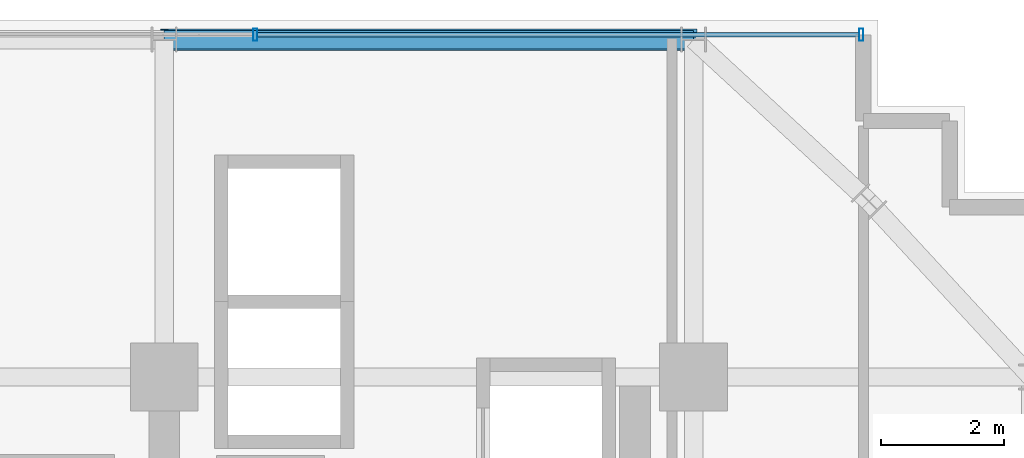
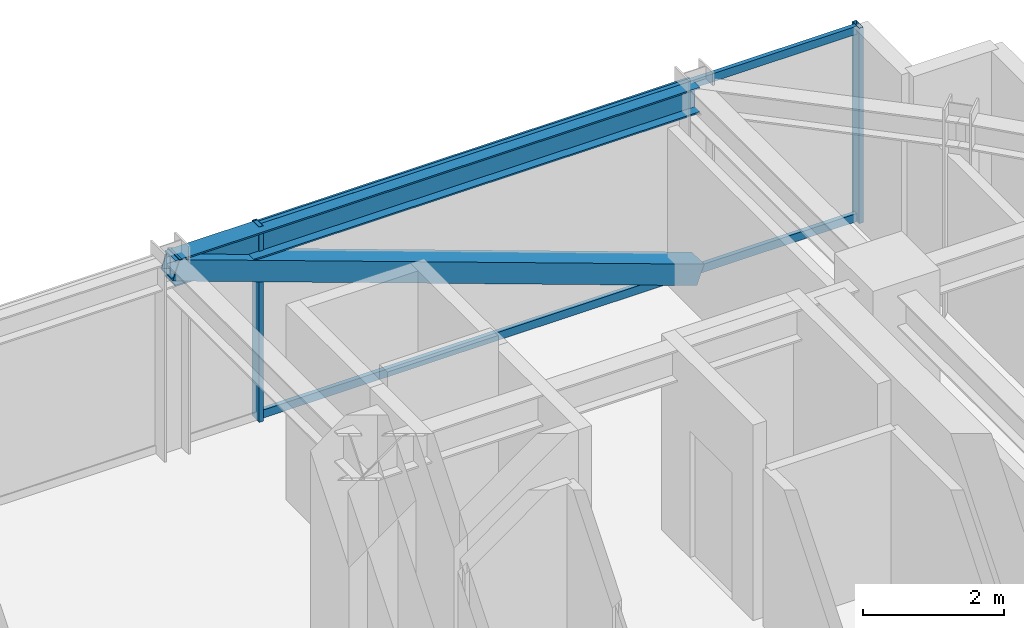
# One storey, part 27 of 36: 5 members, 1 beam, 1 element without a shape of its own.
"""IFC4 building model written with IfcOpenShell, lengths in metres."""

from ifc_helpers import new_model, si_unit, direction, frame, origin, origin_2d, place, context, subcontext, project, spatial, hollow_rectangle, i_section, extrude, source, transform, mapped, material, material_profile, profile_set, type_object, element, aggregate, save


model = new_model("IFC4")

# Units and contexts
model_context = context("Model", 3, precision=1e-05, world=origin(), true_north=direction((0.0, 1.0)))
body_context = subcontext(model_context, "Body", "Model", "MODEL_VIEW")
ifc_project = project(units=[si_unit("LENGTHUNIT", "METRE"), si_unit("AREAUNIT", "SQUARE_METRE"), si_unit("VOLUMEUNIT", "CUBIC_METRE"), si_unit("PLANEANGLEUNIT", "RADIAN"), si_unit("MASSUNIT", "GRAM", prefix="KILO")], contexts=[model_context])

# Site, building, storey
site_placement = place(None, origin())
site = spatial("IfcSite", under=ifc_project, at=site_placement, CompositionType="ELEMENT")
building_placement = place(site_placement, origin())
building = spatial("IfcBuilding", under=site, at=building_placement, Name="Nahalor Promenade Grand Hotel", CompositionType="ELEMENT")
storey_placement = place(building_placement, frame((0.0, 0.0, 170.89990234375)))
storey = spatial("IfcBuildingStorey", under=building, at=storey_placement, Name="L43", CompositionType="ELEMENT", Elevation=170.89990234375)

# Beam
ifc_material_1 = material(Name="Steel S355JR", Category="steel")
ifc_material_profile_1 = material_profile(ifc_material_1, i_section(OverallWidth=0.3, OverallDepth=0.45, WebThickness=0.014, FlangeThickness=0.026, at=origin_2d()), Name="HEB 450")
ifc_profile_set_1 = profile_set([ifc_material_profile_1], Name="Steel S355JR")
beam_type = type_object("IfcBeamType", Name="Beam-Spandrel-HEB450", PredefinedType="SPANDREL", material=ifc_profile_set_1)
shared_shape_1 = source(origin(), body_context, "Body", "SweptSolid", [
    extrude(i_section(OverallWidth=0.3, OverallDepth=0.45, WebThickness=0.014, FlangeThickness=0.026, at=origin_2d()), origin(), (0.0, 0.0, 1.0), 8.60009765625),
])
beam_placement = place(storey_placement, frame((8.39990234375, 22.47998046875, 3.1650390625), z_axis=(1.0, 0.0, 0.0), x_axis=(0.0, 1.0, 0.0)))
element("IfcBeam", 1, at=beam_placement, inside=storey, type_object=beam_type, Name="BM-L43-SP-N-4", PredefinedType="SPANDREL", context=body_context, shape_type="MappedRepresentation", body=[
    mapped(shared_shape_1, transform((0.0, 0.0, 0.0), scale=1.0)),
])

# Member
ifc_material_profile_2 = material_profile(ifc_material_1, hollow_rectangle(XDim=0.35, YDim=0.35, WallThickness=0.02, at=origin_2d()), Name="SHS 350x350x20")
ifc_profile_set_2 = profile_set([ifc_material_profile_2], Name="Steel S355JR")
member_type_1 = type_object("IfcMemberType", Name="Mem-VoidBrace-SHS350", PredefinedType="BRACE", material=ifc_profile_set_2)
shared_shape_2 = source(origin(), body_context, "Body", "SweptSolid", [
    extrude(hollow_rectangle(XDim=0.35, YDim=0.35, WallThickness=0.02, at=origin_2d()), origin(), (0.0, 0.0, 1.0), 9.138427734375),
])
member_1_placement = place(storey_placement, frame((17.0, 22.47998046875, 0.150146484375), z_axis=(-0.941103144716, 0.0, 0.338119610501), x_axis=(0.0, -1.0, 0.0)))
element("IfcMember", 2, at=member_1_placement, inside=storey, type_object=member_type_1, Name="EXO-L43-N-1", PredefinedType="BRACE", context=body_context, shape_type="MappedRepresentation", body=[
    mapped(shared_shape_2, transform((0.0, 0.0, 0.0), scale=1.0)),
])

# Curtain wall, members
ifc_material_2 = material(Name="Anodised Bronze Aluminium EN AW-6063 T6", Category="aluminium")
curtain_wall_type = type_object("IfcCurtainWallType", Name="CW3 Elliptical-Void Collar Unitised Curtain Wall", PredefinedType="USERDEFINED", material=ifc_material_2)
curtain_wall_placement = place(storey_placement, origin())
curtain_wall = element("IfcCurtainWall", 3, at=curtain_wall_placement, inside=storey, type_object=curtain_wall_type, Name="L43 Curtain Wall CW-L43-N-1", ObjectType="UNITISED_CURTAIN_WALL", PredefinedType="USERDEFINED")
ifc_material_profile_3 = material_profile(ifc_material_2, hollow_rectangle(XDim=0.07, YDim=0.2, WallThickness=0.005, at=origin_2d()), Name="CWM 70x200x5")
ifc_profile_set_3 = profile_set([ifc_material_profile_3], Name="Anodised Bronze Aluminium EN AW-6063 T6")
member_type_2 = type_object("IfcMemberType", Name="CWM3 Void Collar Mullion 70x200", PredefinedType="MULLION", material=ifc_profile_set_3)
shared_shape_3 = source(origin(), body_context, "Body", "SweptSolid", [
    extrude(hollow_rectangle(XDim=0.07, YDim=0.2, WallThickness=0.005, at=origin_2d()), origin(), (0.0, 0.0, 1.0), 3.39013671875),
])
member_2_placement = place(storey_placement, frame((9.8798828125, 22.56005859375, 0.0), z_axis=(0.0, 0.0, 1.0), x_axis=(1.0, 0.0, 0.0)))
member_2 = element("IfcMember", 4, at=member_2_placement, type_object=member_type_2, Name="CW-L43-N-1 Mullion 3", PredefinedType="MULLION", context=body_context, shape_type="MappedRepresentation", body=[
    mapped(shared_shape_3, transform((0.0, 0.0, 0.0), scale=1.0)),
])
member_3_placement = place(storey_placement, frame((19.72509765625, 22.56005859375, 0.0), z_axis=(0.0, 0.0, 1.0), x_axis=(1.0, 0.0, 0.0)))
member_3 = element("IfcMember", 5, at=member_3_placement, type_object=member_type_2, Name="CW-L43-N-1 Mullion 4", PredefinedType="MULLION", context=body_context, shape_type="MappedRepresentation", body=[
    mapped(shared_shape_3, transform((0.0, 0.0, 0.0), scale=1.0)),
])
ifc_material_profile_4 = material_profile(ifc_material_2, hollow_rectangle(XDim=0.07, YDim=0.14, WallThickness=0.004, at=origin_2d()), Name="CWT 70x140x4")
ifc_profile_set_4 = profile_set([ifc_material_profile_4], Name="Anodised Bronze Aluminium EN AW-6063 T6")
member_type_3 = type_object("IfcMemberType", Name="CWT3 Void Collar Transom 70x140", PredefinedType="USERDEFINED", material=ifc_profile_set_4)
shared_shape_4 = source(origin(), body_context, "Body", "SweptSolid", [
    extrude(hollow_rectangle(XDim=0.07, YDim=0.14, WallThickness=0.004, at=origin_2d()), origin(), (0.0, 0.0, 1.0), 9.77490234375),
])
member_4_placement = place(storey_placement, frame((9.9150390625, 22.56005859375, 0.070068359375), z_axis=(1.0, 0.0, 0.0), x_axis=(0.0, 1.0, 0.0)))
member_4 = element("IfcMember", 6, at=member_4_placement, type_object=member_type_3, Name="CW-L43-N-1 Transom 3-0", ObjectType="TRANSOM", PredefinedType="USERDEFINED", context=body_context, shape_type="MappedRepresentation", body=[
    mapped(shared_shape_4, transform((0.0, 0.0, 0.0), scale=1.0)),
])
member_5_placement = place(storey_placement, frame((9.9150390625, 22.56005859375, 3.320068359375), z_axis=(1.0, 0.0, 0.0), x_axis=(0.0, 1.0, 0.0)))
member_5 = element("IfcMember", 7, at=member_5_placement, type_object=member_type_3, Name="CW-L43-N-1 Transom 3-1", ObjectType="TRANSOM", PredefinedType="USERDEFINED", context=body_context, shape_type="MappedRepresentation", body=[
    mapped(shared_shape_4, transform((0.0, 0.0, 0.0), scale=1.0)),
])
aggregate(curtain_wall, [member_2, member_3, member_4, member_5])

save(model, "model.ifc")
